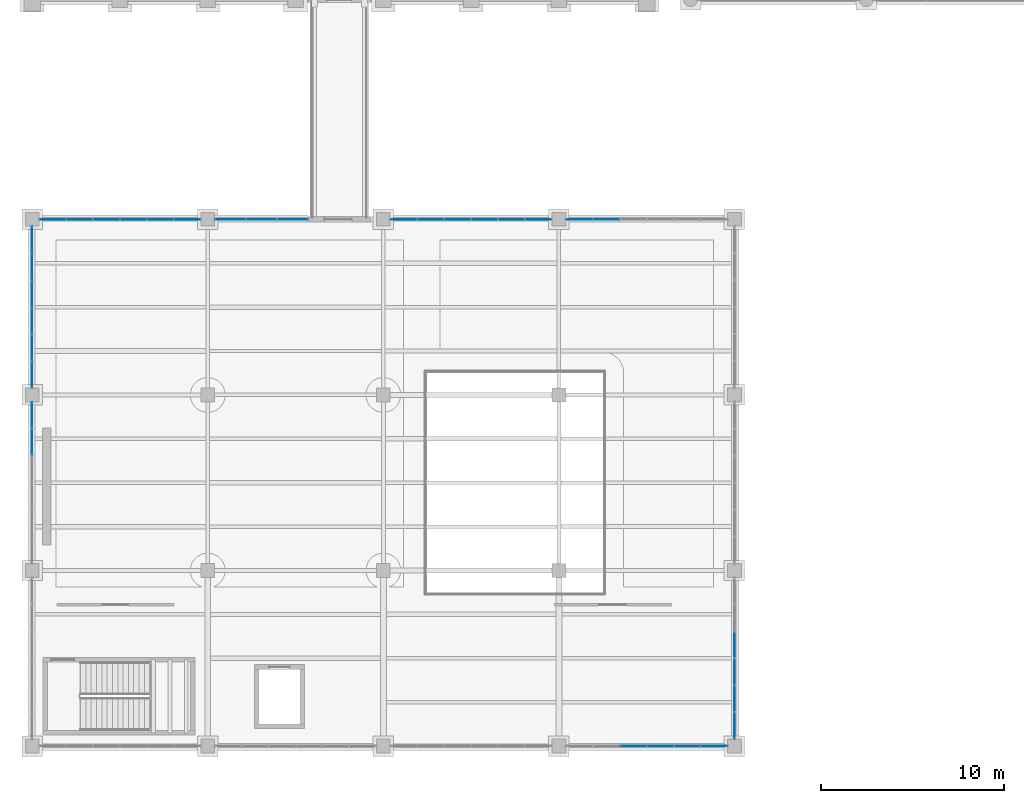
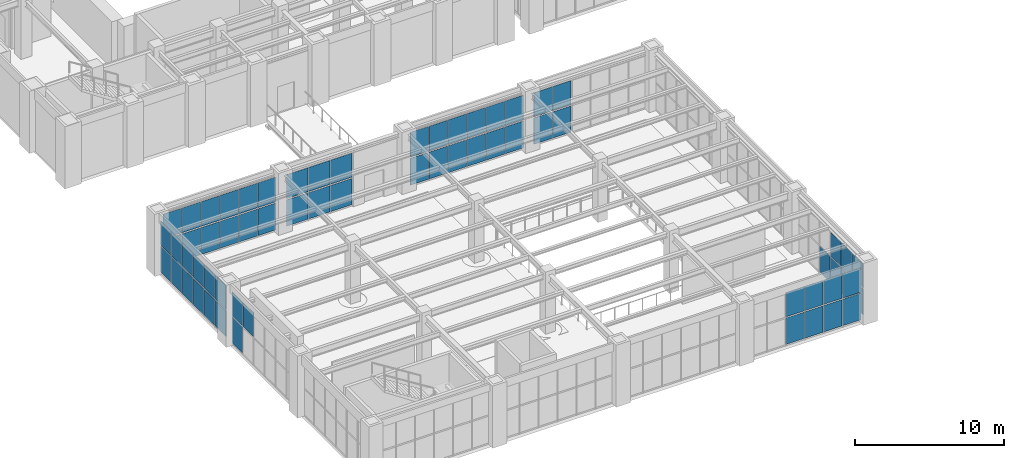
# One storey, part 123 of 174: 64 plates, 8 elements without a shape of their own.
"""IFC4 building model written with IfcOpenShell, lengths in metres."""

import ifcopenshell
import ifcopenshell.guid

model = None  # the IFC model being written
_history = None  # IfcOwnerHistory: only IFC2X3 demands one
_inside = {}  # id of a spatial element -> (the spatial element, [elements in it])
_under = {}  # id of a project, library or spatial element -> (it, [spatial elements below it])
_declared = {}  # id of a project -> (the project, [libraries it declares])
_typed = {}  # id of a type object -> (the type object, [elements of that type])
_made_of = {}  # id of a material, layer set ... -> (it, [elements and type objects made of it])


def new_model(schema):
    """Start an empty IFC model of exactly this schema.

    Asked for "IFC4X3", IfcOpenShell would pick the latest addendum, in which some entities
    have other attributes; the version numbers below select the first issue.
    IFC2X3 requires an IfcOwnerHistory on every rooted entity: one is made here for all.
    """
    global model, _history
    if schema == "IFC4X3":
        model = ifcopenshell.file(schema_version=(4, 3, 0, 0))
    else:
        model = ifcopenshell.file(schema=schema)
    _inside.clear()
    _under.clear()
    _declared.clear()
    _typed.clear()
    _made_of.clear()
    _history = None
    if model.schema == "IFC2X3":
        org = make("IfcOrganization", Name="unknown")
        user = make(
            "IfcPersonAndOrganization",
            ThePerson=make("IfcPerson", FamilyName="unknown"),
            TheOrganization=org,
        )
        app = make(
            "IfcApplication",
            ApplicationDeveloper=org,
            Version="unknown",
            ApplicationFullName="unknown",
            ApplicationIdentifier="unknown",
        )
        _history = make(
            "IfcOwnerHistory",
            OwningUser=user,
            OwningApplication=app,
            ChangeAction="ADDED",
            CreationDate=0,
        )
    return model


def make(cls, **values):
    """One entity of the class cls with the attributes given. An attribute that is None is left unset."""
    return model.create_entity(
        cls, **{name: value for name, value in values.items() if value is not None}
    )


def rooted(cls, **values):
    """An entity with a GlobalId (a new one), such as an element, a storey or a relation."""
    return make(cls, GlobalId=ifcopenshell.guid.new(), OwnerHistory=_history, **values)


def si_unit(unit_type, name, prefix=None):
    """IfcSIUnit, for example si_unit("LENGTHUNIT", "METRE", prefix="MILLI")."""
    return make("IfcSIUnit", UnitType=unit_type, Prefix=prefix, Name=name)


def assignment(units):
    """IfcUnitAssignment: the units of a project."""
    return None if units is None else make("IfcUnitAssignment", Units=units)


def point(xyz):
    """IfcCartesianPoint."""
    return None if xyz is None else make("IfcCartesianPoint", Coordinates=xyz)


def direction(xyz):
    """IfcDirection."""
    return None if xyz is None else make("IfcDirection", DirectionRatios=xyz)


def frame(location, z_axis=None, x_axis=None):
    """IfcAxis2Placement3D, a coordinate frame: its origin and axes. An axis left out is left unset."""
    return make(
        "IfcAxis2Placement3D",
        Location=point(location),
        Axis=direction(z_axis),
        RefDirection=direction(x_axis),
    )


def frame_2d(location, x_axis=None):
    """IfcAxis2Placement2D, a coordinate frame in the plane: its origin and x axis."""
    return make(
        "IfcAxis2Placement2D", Location=point(location), RefDirection=direction(x_axis)
    )


def origin():
    """The frame at (0, 0, 0) with its axes left unset."""
    return frame((0.0, 0.0, 0.0))


def origin_2d():
    """The frame at (0, 0) in the plane with its x axis left unset."""
    return frame_2d((0.0, 0.0))


def place(relative_to, where):
    """IfcLocalPlacement: puts the frame where relative to a parent placement (None: the world)."""
    return make(
        "IfcLocalPlacement", PlacementRelTo=relative_to, RelativePlacement=where
    )


def context(
    kind, dimensions, precision=None, world=None, true_north=None, identifier=None
):
    """IfcGeometricRepresentationContext, for example the 3D "Model" context."""
    return make(
        "IfcGeometricRepresentationContext",
        ContextIdentifier=identifier,
        ContextType=kind,
        CoordinateSpaceDimension=dimensions,
        Precision=precision,
        WorldCoordinateSystem=world,
        TrueNorth=true_north,
    )


def subcontext(parent, identifier, kind, view, scale=None):
    """IfcGeometricRepresentationSubContext, for example "Body" below "Model"."""
    return make(
        "IfcGeometricRepresentationSubContext",
        ContextIdentifier=identifier,
        ContextType=kind,
        ParentContext=parent,
        TargetScale=scale,
        TargetView=view,
    )


def project(units=None, contexts=None):
    """IfcProject with its units and contexts."""
    return rooted(
        "IfcProject",
        Name="project",
        RepresentationContexts=contexts,
        UnitsInContext=assignment(units),
    )


def spatial(cls, under=None, at=None, **own):
    """A site, building, storey or space (cls), placed at a placement, below another one or the project."""
    s = rooted(cls, ObjectPlacement=at, **own)
    if under is not None:
        _under.setdefault(under.id(), (under, []))[1].append(s)
    return s


def profile(cls, at=None, kind="AREA", **sizes):
    """A parametric profile (cls). Its sizes go by their IFC names, for example OverallWidth=200.0."""
    return make(cls, ProfileType=kind, Position=at, **sizes)


def rectangle(**sizes):
    """IfcRectangleProfileDef."""
    return profile("IfcRectangleProfileDef", **sizes)


def extrude(swept, where, along, depth):
    """IfcExtrudedAreaSolid: the profile swept, set in the frame where, extruded along a direction by depth."""
    return make(
        "IfcExtrudedAreaSolid",
        SweptArea=swept,
        Position=where,
        ExtrudedDirection=direction(along),
        Depth=depth,
    )


def shape(context_of_items, identifier, shape_type, items):
    """IfcShapeRepresentation: the items that make up one representation, for example the "Body"."""
    return make(
        "IfcShapeRepresentation",
        ContextOfItems=context_of_items,
        RepresentationIdentifier=identifier,
        RepresentationType=shape_type,
        Items=items,
    )


def material(Name=None, Category=None):
    """IfcMaterial."""
    return make("IfcMaterial", Name=Name, Category=Category)


def layer(
    of_material, thickness, ventilated=None, Name=None, Category=None, Priority=None
):
    """IfcMaterialLayer: one layer of a wall or slab, of a material (None: an air gap)."""
    return make(
        "IfcMaterialLayer",
        Material=of_material,
        LayerThickness=thickness,
        IsVentilated=ventilated,
        Name=Name,
        Category=Category,
        Priority=Priority,
    )


def layer_set(layers, Name=None):
    """IfcMaterialLayerSet."""
    return make("IfcMaterialLayerSet", MaterialLayers=layers, LayerSetName=Name)


def made_of(thing, what):
    """Note that an element or type object is made of a material, layer set ...; save() writes the relation."""
    if what is not None:
        _made_of.setdefault(what.id(), (what, []))[1].append(thing)
    return thing


def type_object(cls, material=None, **own):
    """A type object (cls), such as IfcWallType, which elements share."""
    return made_of(rooted(cls, **own), material)


def element(
    cls,
    number,
    at=None,
    inside=None,
    cuts=None,
    type_object=None,
    material=None,
    context=None,
    identifier="Body",
    shape_type=None,
    held_by="IfcProductDefinitionShape",
    body=None,
    shapes=None,
    **own,
):
    """One element of the class cls, such as IfcWall. Its Tag is "e" and its number.

    at: its placement. inside: the storey or other place that contains it. cuts: it is an
    opening in that element (IfcRelVoidsElement). A single representation is given by context,
    identifier, shape_type and body (its items); several are given by shapes. held_by: the class
    of the entity that holds the representations. save() writes the other relations.
    """
    e = rooted(cls, Tag="e%d" % number, ObjectPlacement=at, **own)
    if body is not None:
        shapes = [shape(context, identifier, shape_type, body)]
    if shapes is not None:
        e.Representation = make(held_by, Representations=shapes)
    if inside is not None:
        _inside.setdefault(inside.id(), (inside, []))[1].append(e)
    if cuts is not None:
        rooted(
            "IfcRelVoidsElement", RelatingBuildingElement=cuts, RelatedOpeningElement=e
        )
    if type_object is not None:
        _typed.setdefault(type_object.id(), (type_object, []))[1].append(e)
    return made_of(e, material)


def aggregate(whole, parts):
    """IfcRelAggregates: a whole, such as a stair, and the parts it consists of."""
    return rooted("IfcRelAggregates", RelatingObject=whole, RelatedObjects=parts)


def save(model, path):
    """Write the relations noted so far, then the file.

    IfcRelAggregates (storeys below a building ...), IfcRelContainedInSpatialStructure (elements
    in a storey), IfcRelDefinesByType, IfcRelAssociatesMaterial and IfcRelDeclares: one each for
    every whole, place, type object, material and project.
    """
    for whole, parts in _under.values():
        aggregate(whole, parts)
    for where, things in _inside.values():
        rooted(
            "IfcRelContainedInSpatialStructure",
            RelatedElements=things,
            RelatingStructure=where,
        )
    for kind, things in _typed.values():
        rooted("IfcRelDefinesByType", RelatedObjects=things, RelatingType=kind)
    for what, things in _made_of.values():
        rooted("IfcRelAssociatesMaterial", RelatedObjects=things, RelatingMaterial=what)
    for by, libraries in _declared.values():
        rooted("IfcRelDeclares", RelatingContext=by, RelatedDefinitions=libraries)
    model.write(path)


model = new_model("IFC4")

# Units and contexts
model_context = context("Model", 3, precision=1e-05, world=origin(), true_north=direction((0.0, 1.0)))
body_context = subcontext(model_context, "Body", "Model", "MODEL_VIEW")
ifc_project = project(units=[si_unit("LENGTHUNIT", "METRE"), si_unit("AREAUNIT", "SQUARE_METRE"), si_unit("VOLUMEUNIT", "CUBIC_METRE"), si_unit("PLANEANGLEUNIT", "RADIAN"), si_unit("MASSUNIT", "GRAM", prefix="KILO")], contexts=[model_context])

# Site, building, storey
site_placement = place(None, origin())
site = spatial("IfcSite", under=ifc_project, at=site_placement, CompositionType="ELEMENT")
building_placement = place(site_placement, origin())
building = spatial("IfcBuilding", under=site, at=building_placement, Name="Mavantir Sound Aquarium", CompositionType="ELEMENT")
storey_placement = place(building_placement, frame((0.0, 0.0, 5.39990234375)))
storey = spatial("IfcBuildingStorey", under=building, at=storey_placement, Name="L01", CompositionType="ELEMENT", Elevation=5.39990234375)

# Curtain wall, plates
ifc_material_1 = material(Name="Anodised Marine Aluminium and Low-E Glass", Category="aluminium")
curtain_wall_type_1 = type_object("IfcCurtainWallType", Name="CW-T19", PredefinedType="USERDEFINED", material=ifc_material_1)
curtain_wall_1_placement = place(storey_placement, origin())
curtain_wall_1 = element("IfcCurtainWall", 1, at=curtain_wall_1_placement, inside=storey, type_object=curtain_wall_type_1, Name="L01 unitised curtain wall CW-19 67", ObjectType="UNITISED GLAZING", PredefinedType="USERDEFINED")
ifc_material_2 = material(Name="Solar-Control Laminated Low-E Glass", Category="glass")
ifc_layer_1 = layer(ifc_material_2, 0.028076171875, Name="Solar-Control Laminated Low-E Glass")
ifc_layer_set_1 = layer_set([ifc_layer_1], Name="Solar-Control Laminated Low-E Glass")
plate_type_1 = type_object("IfcPlateType", Name="CW-PNL-28", PredefinedType="CURTAIN_PANEL", material=ifc_layer_set_1)
plate_1_placement = place(storey_placement, frame((38.39990234375, 1.119140625, 0.10302734375), z_axis=(0.0, 0.0, 1.0), x_axis=(0.0, 1.0, 0.0)))
plate_1 = element("IfcPlate", 2, at=plate_1_placement, type_object=plate_type_1, Name="CW-L01-067 glazed curtain panel 1.1", PredefinedType="CURTAIN_PANEL", context=body_context, shape_type="SweptSolid", body=[
    extrude(rectangle(XDim=1.42431640625, YDim=0.028076171875, at=origin_2d()), origin(), (0.0, 0.0, 1.0), 2.110595703125),
])
plate_2_placement = place(storey_placement, frame((38.39990234375, 1.119140625, 2.3095703125), z_axis=(0.0, 0.0, 1.0), x_axis=(0.0, 1.0, 0.0)))
plate_2 = element("IfcPlate", 3, at=plate_2_placement, type_object=plate_type_1, Name="CW-L01-067 glazed curtain panel 1.2", PredefinedType="CURTAIN_PANEL", context=body_context, shape_type="SweptSolid", body=[
    extrude(rectangle(XDim=1.42431640625, YDim=0.028076171875, at=origin_2d()), origin(), (0.0, 0.0, 1.0), 1.9365234375),
])
plate_3_placement = place(storey_placement, frame((38.39990234375, 2.591552734375, 0.10302734375), z_axis=(0.0, 0.0, 1.0), x_axis=(0.0, 1.0, 0.0)))
plate_3 = element("IfcPlate", 4, at=plate_3_placement, type_object=plate_type_1, Name="CW-L01-067 glazed curtain panel 2.1", PredefinedType="CURTAIN_PANEL", context=body_context, shape_type="SweptSolid", body=[
    extrude(rectangle(XDim=1.42431640625, YDim=0.028076171875, at=origin_2d()), origin(), (0.0, 0.0, 1.0), 2.110595703125),
])
plate_4_placement = place(storey_placement, frame((38.39990234375, 2.591552734375, 2.3095703125), z_axis=(0.0, 0.0, 1.0), x_axis=(0.0, 1.0, 0.0)))
plate_4 = element("IfcPlate", 5, at=plate_4_placement, type_object=plate_type_1, Name="CW-L01-067 glazed curtain panel 2.2", PredefinedType="CURTAIN_PANEL", context=body_context, shape_type="SweptSolid", body=[
    extrude(rectangle(XDim=1.42431640625, YDim=0.028076171875, at=origin_2d()), origin(), (0.0, 0.0, 1.0), 1.9365234375),
])
plate_5_placement = place(storey_placement, frame((38.39990234375, 4.063720703125, 0.10302734375), z_axis=(0.0, 0.0, 1.0), x_axis=(0.0, 1.0, 0.0)))
plate_5 = element("IfcPlate", 6, at=plate_5_placement, type_object=plate_type_1, Name="CW-L01-067 glazed curtain panel 3.1", PredefinedType="CURTAIN_PANEL", context=body_context, shape_type="SweptSolid", body=[
    extrude(rectangle(XDim=1.42431640625, YDim=0.028076171875, at=origin_2d()), origin(), (0.0, 0.0, 1.0), 2.110595703125),
])
plate_6_placement = place(storey_placement, frame((38.39990234375, 4.063720703125, 2.3095703125), z_axis=(0.0, 0.0, 1.0), x_axis=(0.0, 1.0, 0.0)))
plate_6 = element("IfcPlate", 7, at=plate_6_placement, type_object=plate_type_1, Name="CW-L01-067 glazed curtain panel 3.2", PredefinedType="CURTAIN_PANEL", context=body_context, shape_type="SweptSolid", body=[
    extrude(rectangle(XDim=1.42431640625, YDim=0.028076171875, at=origin_2d()), origin(), (0.0, 0.0, 1.0), 1.9365234375),
])
plate_7_placement = place(storey_placement, frame((38.39990234375, 5.5361328125, 0.10302734375), z_axis=(0.0, 0.0, 1.0), x_axis=(0.0, 1.0, 0.0)))
plate_7 = element("IfcPlate", 8, at=plate_7_placement, type_object=plate_type_1, Name="CW-L01-067 glazed curtain panel 4.1", PredefinedType="CURTAIN_PANEL", context=body_context, shape_type="SweptSolid", body=[
    extrude(rectangle(XDim=1.42431640625, YDim=0.028076171875, at=origin_2d()), origin(), (0.0, 0.0, 1.0), 2.110595703125),
])
aggregate(curtain_wall_1, [plate_1, plate_2, plate_3, plate_4, plate_5, plate_6, plate_7])

curtain_wall_type_2 = type_object("IfcCurtainWallType", Name="CW-T23", PredefinedType="USERDEFINED", material=ifc_material_1)
curtain_wall_2_placement = place(storey_placement, origin())
curtain_wall_2 = element("IfcCurtainWall", 9, at=curtain_wall_2_placement, inside=storey, type_object=curtain_wall_type_2, Name="L01 unitised curtain wall CW-23 71", ObjectType="UNITISED GLAZING", PredefinedType="USERDEFINED")
plate_8_placement = place(storey_placement, frame((27.680908203125, 28.800048828125, 0.10302734375), z_axis=(0.0, 0.0, 1.0), x_axis=(-1.0, 0.0, 0.0)))
plate_8 = element("IfcPlate", 10, at=plate_8_placement, type_object=plate_type_1, Name="CW-L01-071 glazed curtain panel 1.1", PredefinedType="CURTAIN_PANEL", context=body_context, shape_type="SweptSolid", body=[
    extrude(rectangle(XDim=1.42431640625, YDim=0.028076171875, at=origin_2d()), origin(), (0.0, 0.0, 1.0), 2.21142578125),
])
plate_9_placement = place(storey_placement, frame((27.680908203125, 28.800048828125, 2.41064453125), z_axis=(0.0, 0.0, 1.0), x_axis=(-1.0, 0.0, 0.0)))
plate_9 = element("IfcPlate", 11, at=plate_9_placement, type_object=plate_type_1, Name="CW-L01-071 glazed curtain panel 1.2", PredefinedType="CURTAIN_PANEL", context=body_context, shape_type="SweptSolid", body=[
    extrude(rectangle(XDim=1.42431640625, YDim=0.028076171875, at=origin_2d()), origin(), (0.0, 0.0, 1.0), 2.029541015625),
])
plate_10_placement = place(storey_placement, frame((26.20849609375, 28.800048828125, 0.10302734375), z_axis=(0.0, 0.0, 1.0), x_axis=(-1.0, 0.0, 0.0)))
plate_10 = element("IfcPlate", 12, at=plate_10_placement, type_object=plate_type_1, Name="CW-L01-071 glazed curtain panel 2.1", PredefinedType="CURTAIN_PANEL", context=body_context, shape_type="SweptSolid", body=[
    extrude(rectangle(XDim=1.42431640625, YDim=0.028076171875, at=origin_2d()), origin(), (0.0, 0.0, 1.0), 2.21142578125),
])
plate_11_placement = place(storey_placement, frame((26.20849609375, 28.800048828125, 2.41064453125), z_axis=(0.0, 0.0, 1.0), x_axis=(-1.0, 0.0, 0.0)))
plate_11 = element("IfcPlate", 13, at=plate_11_placement, type_object=plate_type_1, Name="CW-L01-071 glazed curtain panel 2.2", PredefinedType="CURTAIN_PANEL", context=body_context, shape_type="SweptSolid", body=[
    extrude(rectangle(XDim=1.42431640625, YDim=0.028076171875, at=origin_2d()), origin(), (0.0, 0.0, 1.0), 2.029541015625),
])
plate_12_placement = place(storey_placement, frame((24.736083984375, 28.800048828125, 0.10302734375), z_axis=(0.0, 0.0, 1.0), x_axis=(-1.0, 0.0, 0.0)))
plate_12 = element("IfcPlate", 14, at=plate_12_placement, type_object=plate_type_1, Name="CW-L01-071 glazed curtain panel 3.1", PredefinedType="CURTAIN_PANEL", context=body_context, shape_type="SweptSolid", body=[
    extrude(rectangle(XDim=1.42431640625, YDim=0.028076171875, at=origin_2d()), origin(), (0.0, 0.0, 1.0), 2.21142578125),
])
plate_13_placement = place(storey_placement, frame((24.736083984375, 28.800048828125, 2.41064453125), z_axis=(0.0, 0.0, 1.0), x_axis=(-1.0, 0.0, 0.0)))
plate_13 = element("IfcPlate", 15, at=plate_13_placement, type_object=plate_type_1, Name="CW-L01-071 glazed curtain panel 3.2", PredefinedType="CURTAIN_PANEL", context=body_context, shape_type="SweptSolid", body=[
    extrude(rectangle(XDim=1.42431640625, YDim=0.028076171875, at=origin_2d()), origin(), (0.0, 0.0, 1.0), 2.029541015625),
])
plate_14_placement = place(storey_placement, frame((23.263916015625, 28.800048828125, 0.10302734375), z_axis=(0.0, 0.0, 1.0), x_axis=(-1.0, 0.0, 0.0)))
plate_14 = element("IfcPlate", 16, at=plate_14_placement, type_object=plate_type_1, Name="CW-L01-071 glazed curtain panel 4.1", PredefinedType="CURTAIN_PANEL", context=body_context, shape_type="SweptSolid", body=[
    extrude(rectangle(XDim=1.42431640625, YDim=0.028076171875, at=origin_2d()), origin(), (0.0, 0.0, 1.0), 2.21142578125),
])
plate_15_placement = place(storey_placement, frame((23.263916015625, 28.800048828125, 2.41064453125), z_axis=(0.0, 0.0, 1.0), x_axis=(-1.0, 0.0, 0.0)))
plate_15 = element("IfcPlate", 17, at=plate_15_placement, type_object=plate_type_1, Name="CW-L01-071 glazed curtain panel 4.2", PredefinedType="CURTAIN_PANEL", context=body_context, shape_type="SweptSolid", body=[
    extrude(rectangle(XDim=1.42431640625, YDim=0.028076171875, at=origin_2d()), origin(), (0.0, 0.0, 1.0), 2.029541015625),
])
plate_16_placement = place(storey_placement, frame((21.79150390625, 28.800048828125, 0.10302734375), z_axis=(0.0, 0.0, 1.0), x_axis=(-1.0, 0.0, 0.0)))
plate_16 = element("IfcPlate", 18, at=plate_16_placement, type_object=plate_type_1, Name="CW-L01-071 glazed curtain panel 5.1", PredefinedType="CURTAIN_PANEL", context=body_context, shape_type="SweptSolid", body=[
    extrude(rectangle(XDim=1.42431640625, YDim=0.028076171875, at=origin_2d()), origin(), (0.0, 0.0, 1.0), 2.21142578125),
])
plate_17_placement = place(storey_placement, frame((21.79150390625, 28.800048828125, 2.41064453125), z_axis=(0.0, 0.0, 1.0), x_axis=(-1.0, 0.0, 0.0)))
plate_17 = element("IfcPlate", 19, at=plate_17_placement, type_object=plate_type_1, Name="CW-L01-071 glazed curtain panel 5.2", PredefinedType="CURTAIN_PANEL", context=body_context, shape_type="SweptSolid", body=[
    extrude(rectangle(XDim=1.42431640625, YDim=0.028076171875, at=origin_2d()), origin(), (0.0, 0.0, 1.0), 2.029541015625),
])
plate_18_placement = place(storey_placement, frame((20.319091796875, 28.800048828125, 0.10302734375), z_axis=(0.0, 0.0, 1.0), x_axis=(-1.0, 0.0, 0.0)))
plate_18 = element("IfcPlate", 20, at=plate_18_placement, type_object=plate_type_1, Name="CW-L01-071 glazed curtain panel 6.1", PredefinedType="CURTAIN_PANEL", context=body_context, shape_type="SweptSolid", body=[
    extrude(rectangle(XDim=1.42431640625, YDim=0.028076171875, at=origin_2d()), origin(), (0.0, 0.0, 1.0), 2.21142578125),
])
plate_19_placement = place(storey_placement, frame((20.319091796875, 28.800048828125, 2.41064453125), z_axis=(0.0, 0.0, 1.0), x_axis=(-1.0, 0.0, 0.0)))
plate_19 = element("IfcPlate", 21, at=plate_19_placement, type_object=plate_type_1, Name="CW-L01-071 glazed curtain panel 6.2", PredefinedType="CURTAIN_PANEL", context=body_context, shape_type="SweptSolid", body=[
    extrude(rectangle(XDim=1.42431640625, YDim=0.028076171875, at=origin_2d()), origin(), (0.0, 0.0, 1.0), 2.029541015625),
])
aggregate(curtain_wall_2, [plate_8, plate_9, plate_10, plate_11, plate_12, plate_13, plate_14, plate_15, plate_16, plate_17, plate_18, plate_19])

curtain_wall_type_3 = type_object("IfcCurtainWallType", Name="CW-T01", PredefinedType="USERDEFINED", material=ifc_material_1)
curtain_wall_3_placement = place(storey_placement, origin())
curtain_wall_3 = element("IfcCurtainWall", 22, at=curtain_wall_3_placement, inside=storey, type_object=curtain_wall_type_3, Name="L01 unitised curtain wall CW-01 73", ObjectType="UNITISED GLAZING", PredefinedType="USERDEFINED")
plate_20_placement = place(storey_placement, frame((8.480712890625, 28.800048828125, 0.10302734375), z_axis=(0.0, 0.0, 1.0), x_axis=(-1.0, 0.0, 0.0)))
plate_20 = element("IfcPlate", 23, at=plate_20_placement, type_object=plate_type_1, Name="CW-L01-073 glazed curtain panel 1.1", PredefinedType="CURTAIN_PANEL", context=body_context, shape_type="SweptSolid", body=[
    extrude(rectangle(XDim=1.42431640625, YDim=0.028076171875, at=origin_2d()), origin(), (0.0, 0.0, 1.0), 2.21142578125),
])
plate_21_placement = place(storey_placement, frame((8.480712890625, 28.800048828125, 2.41064453125), z_axis=(0.0, 0.0, 1.0), x_axis=(-1.0, 0.0, 0.0)))
plate_21 = element("IfcPlate", 24, at=plate_21_placement, type_object=plate_type_1, Name="CW-L01-073 glazed curtain panel 1.2", PredefinedType="CURTAIN_PANEL", context=body_context, shape_type="SweptSolid", body=[
    extrude(rectangle(XDim=1.42431640625, YDim=0.028076171875, at=origin_2d()), origin(), (0.0, 0.0, 1.0), 2.029541015625),
])
plate_22_placement = place(storey_placement, frame((7.008544921875, 28.800048828125, 0.10302734375), z_axis=(0.0, 0.0, 1.0), x_axis=(-1.0, 0.0, 0.0)))
plate_22 = element("IfcPlate", 25, at=plate_22_placement, type_object=plate_type_1, Name="CW-L01-073 glazed curtain panel 2.1", PredefinedType="CURTAIN_PANEL", context=body_context, shape_type="SweptSolid", body=[
    extrude(rectangle(XDim=1.42431640625, YDim=0.028076171875, at=origin_2d()), origin(), (0.0, 0.0, 1.0), 2.21142578125),
])
plate_23_placement = place(storey_placement, frame((7.008544921875, 28.800048828125, 2.41064453125), z_axis=(0.0, 0.0, 1.0), x_axis=(-1.0, 0.0, 0.0)))
plate_23 = element("IfcPlate", 26, at=plate_23_placement, type_object=plate_type_1, Name="CW-L01-073 glazed curtain panel 2.2", PredefinedType="CURTAIN_PANEL", context=body_context, shape_type="SweptSolid", body=[
    extrude(rectangle(XDim=1.42431640625, YDim=0.028076171875, at=origin_2d()), origin(), (0.0, 0.0, 1.0), 2.029541015625),
])
plate_24_placement = place(storey_placement, frame((5.5361328125, 28.800048828125, 0.10302734375), z_axis=(0.0, 0.0, 1.0), x_axis=(-1.0, 0.0, 0.0)))
plate_24 = element("IfcPlate", 27, at=plate_24_placement, type_object=plate_type_1, Name="CW-L01-073 glazed curtain panel 3.1", PredefinedType="CURTAIN_PANEL", context=body_context, shape_type="SweptSolid", body=[
    extrude(rectangle(XDim=1.42431640625, YDim=0.028076171875, at=origin_2d()), origin(), (0.0, 0.0, 1.0), 2.21142578125),
])
plate_25_placement = place(storey_placement, frame((5.5361328125, 28.800048828125, 2.41064453125), z_axis=(0.0, 0.0, 1.0), x_axis=(-1.0, 0.0, 0.0)))
plate_25 = element("IfcPlate", 28, at=plate_25_placement, type_object=plate_type_1, Name="CW-L01-073 glazed curtain panel 3.2", PredefinedType="CURTAIN_PANEL", context=body_context, shape_type="SweptSolid", body=[
    extrude(rectangle(XDim=1.42431640625, YDim=0.028076171875, at=origin_2d()), origin(), (0.0, 0.0, 1.0), 2.029541015625),
])
plate_26_placement = place(storey_placement, frame((4.063720703125, 28.800048828125, 0.10302734375), z_axis=(0.0, 0.0, 1.0), x_axis=(-1.0, 0.0, 0.0)))
plate_26 = element("IfcPlate", 29, at=plate_26_placement, type_object=plate_type_1, Name="CW-L01-073 glazed curtain panel 4.1", PredefinedType="CURTAIN_PANEL", context=body_context, shape_type="SweptSolid", body=[
    extrude(rectangle(XDim=1.42431640625, YDim=0.028076171875, at=origin_2d()), origin(), (0.0, 0.0, 1.0), 2.21142578125),
])
plate_27_placement = place(storey_placement, frame((4.063720703125, 28.800048828125, 2.41064453125), z_axis=(0.0, 0.0, 1.0), x_axis=(-1.0, 0.0, 0.0)))
plate_27 = element("IfcPlate", 30, at=plate_27_placement, type_object=plate_type_1, Name="CW-L01-073 glazed curtain panel 4.2", PredefinedType="CURTAIN_PANEL", context=body_context, shape_type="SweptSolid", body=[
    extrude(rectangle(XDim=1.42431640625, YDim=0.028076171875, at=origin_2d()), origin(), (0.0, 0.0, 1.0), 2.029541015625),
])
plate_28_placement = place(storey_placement, frame((2.591552734375, 28.800048828125, 0.10302734375), z_axis=(0.0, 0.0, 1.0), x_axis=(-1.0, 0.0, 0.0)))
plate_28 = element("IfcPlate", 31, at=plate_28_placement, type_object=plate_type_1, Name="CW-L01-073 glazed curtain panel 5.1", PredefinedType="CURTAIN_PANEL", context=body_context, shape_type="SweptSolid", body=[
    extrude(rectangle(XDim=1.42431640625, YDim=0.028076171875, at=origin_2d()), origin(), (0.0, 0.0, 1.0), 2.21142578125),
])
plate_29_placement = place(storey_placement, frame((2.591552734375, 28.800048828125, 2.41064453125), z_axis=(0.0, 0.0, 1.0), x_axis=(-1.0, 0.0, 0.0)))
plate_29 = element("IfcPlate", 32, at=plate_29_placement, type_object=plate_type_1, Name="CW-L01-073 glazed curtain panel 5.2", PredefinedType="CURTAIN_PANEL", context=body_context, shape_type="SweptSolid", body=[
    extrude(rectangle(XDim=1.42431640625, YDim=0.028076171875, at=origin_2d()), origin(), (0.0, 0.0, 1.0), 2.029541015625),
])
plate_30_placement = place(storey_placement, frame((1.119140625, 28.800048828125, 0.10302734375), z_axis=(0.0, 0.0, 1.0), x_axis=(-1.0, 0.0, 0.0)))
plate_30 = element("IfcPlate", 33, at=plate_30_placement, type_object=plate_type_1, Name="CW-L01-073 glazed curtain panel 6.1", PredefinedType="CURTAIN_PANEL", context=body_context, shape_type="SweptSolid", body=[
    extrude(rectangle(XDim=1.42431640625, YDim=0.028076171875, at=origin_2d()), origin(), (0.0, 0.0, 1.0), 2.21142578125),
])
plate_31_placement = place(storey_placement, frame((1.119140625, 28.800048828125, 2.41064453125), z_axis=(0.0, 0.0, 1.0), x_axis=(-1.0, 0.0, 0.0)))
plate_31 = element("IfcPlate", 34, at=plate_31_placement, type_object=plate_type_1, Name="CW-L01-073 glazed curtain panel 6.2", PredefinedType="CURTAIN_PANEL", context=body_context, shape_type="SweptSolid", body=[
    extrude(rectangle(XDim=1.42431640625, YDim=0.028076171875, at=origin_2d()), origin(), (0.0, 0.0, 1.0), 2.029541015625),
])
aggregate(curtain_wall_3, [plate_20, plate_21, plate_22, plate_23, plate_24, plate_25, plate_26, plate_27, plate_28, plate_29, plate_30, plate_31])

curtain_wall_type_4 = type_object("IfcCurtainWallType", Name="CW-T03", PredefinedType="USERDEFINED", material=ifc_material_1)
curtain_wall_4_placement = place(storey_placement, origin())
curtain_wall_4 = element("IfcCurtainWall", 35, at=curtain_wall_4_placement, inside=storey, type_object=curtain_wall_type_4, Name="L01 unitised curtain wall CW-03 75", ObjectType="UNITISED GLAZING", PredefinedType="USERDEFINED")
plate_32_placement = place(storey_placement, frame((0.0, 18.080810546875, 0.10302734375), z_axis=(0.0, 0.0, 1.0), x_axis=(0.0, -1.0, 0.0)))
plate_32 = element("IfcPlate", 36, at=plate_32_placement, type_object=plate_type_1, Name="CW-L01-075 glazed curtain panel 1.1", PredefinedType="CURTAIN_PANEL", context=body_context, shape_type="SweptSolid", body=[
    extrude(rectangle(XDim=1.42431640625, YDim=0.028076171875, at=origin_2d()), origin(), (0.0, 0.0, 1.0), 2.143798828125),
])
plate_33_placement = place(storey_placement, frame((0.0, 18.080810546875, 2.3427734375), z_axis=(0.0, 0.0, 1.0), x_axis=(0.0, -1.0, 0.0)))
plate_33 = element("IfcPlate", 37, at=plate_33_placement, type_object=plate_type_1, Name="CW-L01-075 glazed curtain panel 1.2", PredefinedType="CURTAIN_PANEL", context=body_context, shape_type="SweptSolid", body=[
    extrude(rectangle(XDim=1.42431640625, YDim=0.028076171875, at=origin_2d()), origin(), (0.0, 0.0, 1.0), 1.96728515625),
])
plate_34_placement = place(storey_placement, frame((0.0, 16.6083984375, 2.3427734375), z_axis=(0.0, 0.0, 1.0), x_axis=(0.0, -1.0, 0.0)))
plate_34 = element("IfcPlate", 38, at=plate_34_placement, type_object=plate_type_1, Name="CW-L01-075 glazed curtain panel 2.2", PredefinedType="CURTAIN_PANEL", context=body_context, shape_type="SweptSolid", body=[
    extrude(rectangle(XDim=1.42431640625, YDim=0.028076171875, at=origin_2d()), origin(), (0.0, 0.0, 1.0), 1.96728515625),
])
aggregate(curtain_wall_4, [plate_32, plate_33, plate_34])

curtain_wall_type_5 = type_object("IfcCurtainWallType", Name="CW-T22", PredefinedType="USERDEFINED", material=ifc_material_1)
curtain_wall_5_placement = place(storey_placement, origin())
curtain_wall_5 = element("IfcCurtainWall", 39, at=curtain_wall_5_placement, inside=storey, type_object=curtain_wall_type_5, Name="L01 unitised curtain wall CW-22 70", ObjectType="UNITISED GLAZING", PredefinedType="USERDEFINED")
ifc_layer_2 = layer(ifc_material_2, 0.031982421875, Name="Solar-Control Laminated Low-E Glass")
ifc_layer_set_2 = layer_set([ifc_layer_2], Name="Solar-Control Laminated Low-E Glass")
plate_type_2 = type_object("IfcPlateType", Name="CW-PNL-32", PredefinedType="CURTAIN_PANEL", material=ifc_layer_set_2)
plate_35_placement = place(storey_placement, frame((31.3916015625, 28.800048828125, 0.10302734375), z_axis=(0.0, 0.0, 1.0), x_axis=(-1.0, 0.0, 0.0)))
plate_35 = element("IfcPlate", 40, at=plate_35_placement, type_object=plate_type_2, Name="CW-L01-070 glazed curtain panel 5.1", PredefinedType="CURTAIN_PANEL", context=body_context, shape_type="SweptSolid", body=[
    extrude(rectangle(XDim=1.42431640625, YDim=0.031982421875, at=origin_2d()), origin(), (0.0, 0.0, 1.0), 2.15673828125),
])
plate_36_placement = place(storey_placement, frame((31.3916015625, 28.800048828125, 2.35595703125), z_axis=(0.0, 0.0, 1.0), x_axis=(-1.0, 0.0, 0.0)))
plate_36 = element("IfcPlate", 41, at=plate_36_placement, type_object=plate_type_2, Name="CW-L01-070 glazed curtain panel 5.2", PredefinedType="CURTAIN_PANEL", context=body_context, shape_type="SweptSolid", body=[
    extrude(rectangle(XDim=1.42431640625, YDim=0.031982421875, at=origin_2d()), origin(), (0.0, 0.0, 1.0), 1.979248046875),
])
plate_37_placement = place(storey_placement, frame((29.919189453125, 28.800048828125, 0.10302734375), z_axis=(0.0, 0.0, 1.0), x_axis=(-1.0, 0.0, 0.0)))
plate_37 = element("IfcPlate", 42, at=plate_37_placement, type_object=plate_type_2, Name="CW-L01-070 glazed curtain panel 6.1", PredefinedType="CURTAIN_PANEL", context=body_context, shape_type="SweptSolid", body=[
    extrude(rectangle(XDim=1.42431640625, YDim=0.031982421875, at=origin_2d()), origin(), (0.0, 0.0, 1.0), 2.15673828125),
])
plate_38_placement = place(storey_placement, frame((29.919189453125, 28.800048828125, 2.35595703125), z_axis=(0.0, 0.0, 1.0), x_axis=(-1.0, 0.0, 0.0)))
plate_38 = element("IfcPlate", 43, at=plate_38_placement, type_object=plate_type_2, Name="CW-L01-070 glazed curtain panel 6.2", PredefinedType="CURTAIN_PANEL", context=body_context, shape_type="SweptSolid", body=[
    extrude(rectangle(XDim=1.42431640625, YDim=0.031982421875, at=origin_2d()), origin(), (0.0, 0.0, 1.0), 1.979248046875),
])
aggregate(curtain_wall_5, [plate_35, plate_36, plate_37, plate_38])

curtain_wall_type_6 = type_object("IfcCurtainWallType", Name="CW-T24", PredefinedType="USERDEFINED", material=ifc_material_1)
curtain_wall_6_placement = place(storey_placement, origin())
curtain_wall_6 = element("IfcCurtainWall", 44, at=curtain_wall_6_placement, inside=storey, type_object=curtain_wall_type_6, Name="L01 unitised curtain wall CW-24 72", ObjectType="UNITISED GLAZING", PredefinedType="USERDEFINED")
plate_39_placement = place(storey_placement, frame((14.242919921875, 28.800048828125, 0.10302734375), z_axis=(0.0, 0.0, 1.0), x_axis=(-1.0, 0.0, 0.0)))
plate_39 = element("IfcPlate", 45, at=plate_39_placement, type_object=plate_type_2, Name="CW-L01-072 glazed curtain panel 1.1", PredefinedType="CURTAIN_PANEL", context=body_context, shape_type="SweptSolid", body=[
    extrude(rectangle(XDim=1.656005859375, YDim=0.031982421875, at=origin_2d()), origin(), (0.0, 0.0, 1.0), 2.15673828125),
])
plate_40_placement = place(storey_placement, frame((14.242919921875, 28.800048828125, 2.35595703125), z_axis=(0.0, 0.0, 1.0), x_axis=(-1.0, 0.0, 0.0)))
plate_40 = element("IfcPlate", 46, at=plate_40_placement, type_object=plate_type_2, Name="CW-L01-072 glazed curtain panel 1.2", PredefinedType="CURTAIN_PANEL", context=body_context, shape_type="SweptSolid", body=[
    extrude(rectangle(XDim=1.656005859375, YDim=0.031982421875, at=origin_2d()), origin(), (0.0, 0.0, 1.0), 1.979248046875),
])
plate_41_placement = place(storey_placement, frame((12.5390625, 28.800048828125, 0.10302734375), z_axis=(0.0, 0.0, 1.0), x_axis=(-1.0, 0.0, 0.0)))
plate_41 = element("IfcPlate", 47, at=plate_41_placement, type_object=plate_type_2, Name="CW-L01-072 glazed curtain panel 2.1", PredefinedType="CURTAIN_PANEL", context=body_context, shape_type="SweptSolid", body=[
    extrude(rectangle(XDim=1.656005859375, YDim=0.031982421875, at=origin_2d()), origin(), (0.0, 0.0, 1.0), 2.15673828125),
])
plate_42_placement = place(storey_placement, frame((12.5390625, 28.800048828125, 2.35595703125), z_axis=(0.0, 0.0, 1.0), x_axis=(-1.0, 0.0, 0.0)))
plate_42 = element("IfcPlate", 48, at=plate_42_placement, type_object=plate_type_2, Name="CW-L01-072 glazed curtain panel 2.2", PredefinedType="CURTAIN_PANEL", context=body_context, shape_type="SweptSolid", body=[
    extrude(rectangle(XDim=1.656005859375, YDim=0.031982421875, at=origin_2d()), origin(), (0.0, 0.0, 1.0), 1.979248046875),
])
plate_43_placement = place(storey_placement, frame((10.8349609375, 28.800048828125, 0.10302734375), z_axis=(0.0, 0.0, 1.0), x_axis=(-1.0, 0.0, 0.0)))
plate_43 = element("IfcPlate", 49, at=plate_43_placement, type_object=plate_type_2, Name="CW-L01-072 glazed curtain panel 3.1", PredefinedType="CURTAIN_PANEL", context=body_context, shape_type="SweptSolid", body=[
    extrude(rectangle(XDim=1.656005859375, YDim=0.031982421875, at=origin_2d()), origin(), (0.0, 0.0, 1.0), 2.15673828125),
])
plate_44_placement = place(storey_placement, frame((10.8349609375, 28.800048828125, 2.35595703125), z_axis=(0.0, 0.0, 1.0), x_axis=(-1.0, 0.0, 0.0)))
plate_44 = element("IfcPlate", 50, at=plate_44_placement, type_object=plate_type_2, Name="CW-L01-072 glazed curtain panel 3.2", PredefinedType="CURTAIN_PANEL", context=body_context, shape_type="SweptSolid", body=[
    extrude(rectangle(XDim=1.656005859375, YDim=0.031982421875, at=origin_2d()), origin(), (0.0, 0.0, 1.0), 1.979248046875),
])
aggregate(curtain_wall_6, [plate_39, plate_40, plate_41, plate_42, plate_43, plate_44])

curtain_wall_type_7 = type_object("IfcCurtainWallType", Name="CW-T02", PredefinedType="USERDEFINED", material=ifc_material_1)
curtain_wall_7_placement = place(storey_placement, origin())
curtain_wall_7 = element("IfcCurtainWall", 51, at=curtain_wall_7_placement, inside=storey, type_object=curtain_wall_type_7, Name="L01 unitised curtain wall CW-02 74", ObjectType="UNITISED GLAZING", PredefinedType="USERDEFINED")
plate_45_placement = place(storey_placement, frame((0.0, 27.680908203125, 0.10302734375), z_axis=(0.0, 0.0, 1.0), x_axis=(0.0, -1.0, 0.0)))
plate_45 = element("IfcPlate", 52, at=plate_45_placement, type_object=plate_type_2, Name="CW-L01-074 glazed curtain panel 1.1", PredefinedType="CURTAIN_PANEL", context=body_context, shape_type="SweptSolid", body=[
    extrude(rectangle(XDim=1.42431640625, YDim=0.031982421875, at=origin_2d()), origin(), (0.0, 0.0, 1.0), 2.13330078125),
])
plate_46_placement = place(storey_placement, frame((0.0, 27.680908203125, 2.33251953125), z_axis=(0.0, 0.0, 1.0), x_axis=(0.0, -1.0, 0.0)))
plate_46 = element("IfcPlate", 53, at=plate_46_placement, type_object=plate_type_2, Name="CW-L01-074 glazed curtain panel 1.2", PredefinedType="CURTAIN_PANEL", context=body_context, shape_type="SweptSolid", body=[
    extrude(rectangle(XDim=1.42431640625, YDim=0.031982421875, at=origin_2d()), origin(), (0.0, 0.0, 1.0), 1.95751953125),
])
plate_47_placement = place(storey_placement, frame((0.0, 26.20849609375, 0.10302734375), z_axis=(0.0, 0.0, 1.0), x_axis=(0.0, -1.0, 0.0)))
plate_47 = element("IfcPlate", 54, at=plate_47_placement, type_object=plate_type_2, Name="CW-L01-074 glazed curtain panel 2.1", PredefinedType="CURTAIN_PANEL", context=body_context, shape_type="SweptSolid", body=[
    extrude(rectangle(XDim=1.42431640625, YDim=0.031982421875, at=origin_2d()), origin(), (0.0, 0.0, 1.0), 2.13330078125),
])
plate_48_placement = place(storey_placement, frame((0.0, 26.20849609375, 2.33251953125), z_axis=(0.0, 0.0, 1.0), x_axis=(0.0, -1.0, 0.0)))
plate_48 = element("IfcPlate", 55, at=plate_48_placement, type_object=plate_type_2, Name="CW-L01-074 glazed curtain panel 2.2", PredefinedType="CURTAIN_PANEL", context=body_context, shape_type="SweptSolid", body=[
    extrude(rectangle(XDim=1.42431640625, YDim=0.031982421875, at=origin_2d()), origin(), (0.0, 0.0, 1.0), 1.95751953125),
])
plate_49_placement = place(storey_placement, frame((0.0, 24.736083984375, 0.10302734375), z_axis=(0.0, 0.0, 1.0), x_axis=(0.0, -1.0, 0.0)))
plate_49 = element("IfcPlate", 56, at=plate_49_placement, type_object=plate_type_2, Name="CW-L01-074 glazed curtain panel 3.1", PredefinedType="CURTAIN_PANEL", context=body_context, shape_type="SweptSolid", body=[
    extrude(rectangle(XDim=1.42431640625, YDim=0.031982421875, at=origin_2d()), origin(), (0.0, 0.0, 1.0), 2.13330078125),
])
plate_50_placement = place(storey_placement, frame((0.0, 24.736083984375, 2.33251953125), z_axis=(0.0, 0.0, 1.0), x_axis=(0.0, -1.0, 0.0)))
plate_50 = element("IfcPlate", 57, at=plate_50_placement, type_object=plate_type_2, Name="CW-L01-074 glazed curtain panel 3.2", PredefinedType="CURTAIN_PANEL", context=body_context, shape_type="SweptSolid", body=[
    extrude(rectangle(XDim=1.42431640625, YDim=0.031982421875, at=origin_2d()), origin(), (0.0, 0.0, 1.0), 1.95751953125),
])
plate_51_placement = place(storey_placement, frame((0.0, 23.263916015625, 0.10302734375), z_axis=(0.0, 0.0, 1.0), x_axis=(0.0, -1.0, 0.0)))
plate_51 = element("IfcPlate", 58, at=plate_51_placement, type_object=plate_type_2, Name="CW-L01-074 glazed curtain panel 4.1", PredefinedType="CURTAIN_PANEL", context=body_context, shape_type="SweptSolid", body=[
    extrude(rectangle(XDim=1.42431640625, YDim=0.031982421875, at=origin_2d()), origin(), (0.0, 0.0, 1.0), 2.13330078125),
])
plate_52_placement = place(storey_placement, frame((0.0, 23.263916015625, 2.33251953125), z_axis=(0.0, 0.0, 1.0), x_axis=(0.0, -1.0, 0.0)))
plate_52 = element("IfcPlate", 59, at=plate_52_placement, type_object=plate_type_2, Name="CW-L01-074 glazed curtain panel 4.2", PredefinedType="CURTAIN_PANEL", context=body_context, shape_type="SweptSolid", body=[
    extrude(rectangle(XDim=1.42431640625, YDim=0.031982421875, at=origin_2d()), origin(), (0.0, 0.0, 1.0), 1.95751953125),
])
plate_53_placement = place(storey_placement, frame((0.0, 21.79150390625, 0.10302734375), z_axis=(0.0, 0.0, 1.0), x_axis=(0.0, -1.0, 0.0)))
plate_53 = element("IfcPlate", 60, at=plate_53_placement, type_object=plate_type_2, Name="CW-L01-074 glazed curtain panel 5.1", PredefinedType="CURTAIN_PANEL", context=body_context, shape_type="SweptSolid", body=[
    extrude(rectangle(XDim=1.42431640625, YDim=0.031982421875, at=origin_2d()), origin(), (0.0, 0.0, 1.0), 2.13330078125),
])
plate_54_placement = place(storey_placement, frame((0.0, 21.79150390625, 2.33251953125), z_axis=(0.0, 0.0, 1.0), x_axis=(0.0, -1.0, 0.0)))
plate_54 = element("IfcPlate", 61, at=plate_54_placement, type_object=plate_type_2, Name="CW-L01-074 glazed curtain panel 5.2", PredefinedType="CURTAIN_PANEL", context=body_context, shape_type="SweptSolid", body=[
    extrude(rectangle(XDim=1.42431640625, YDim=0.031982421875, at=origin_2d()), origin(), (0.0, 0.0, 1.0), 1.95751953125),
])
plate_55_placement = place(storey_placement, frame((0.0, 20.319091796875, 0.10302734375), z_axis=(0.0, 0.0, 1.0), x_axis=(0.0, -1.0, 0.0)))
plate_55 = element("IfcPlate", 62, at=plate_55_placement, type_object=plate_type_2, Name="CW-L01-074 glazed curtain panel 6.1", PredefinedType="CURTAIN_PANEL", context=body_context, shape_type="SweptSolid", body=[
    extrude(rectangle(XDim=1.42431640625, YDim=0.031982421875, at=origin_2d()), origin(), (0.0, 0.0, 1.0), 2.13330078125),
])
plate_56_placement = place(storey_placement, frame((0.0, 20.319091796875, 2.33251953125), z_axis=(0.0, 0.0, 1.0), x_axis=(0.0, -1.0, 0.0)))
plate_56 = element("IfcPlate", 63, at=plate_56_placement, type_object=plate_type_2, Name="CW-L01-074 glazed curtain panel 6.2", PredefinedType="CURTAIN_PANEL", context=body_context, shape_type="SweptSolid", body=[
    extrude(rectangle(XDim=1.42431640625, YDim=0.031982421875, at=origin_2d()), origin(), (0.0, 0.0, 1.0), 1.95751953125),
])
aggregate(curtain_wall_7, [plate_45, plate_46, plate_47, plate_48, plate_49, plate_50, plate_51, plate_52, plate_53, plate_54, plate_55, plate_56])

curtain_wall_type_8 = type_object("IfcCurtainWallType", Name="CW-T08", PredefinedType="USERDEFINED", material=ifc_material_1)
curtain_wall_8_placement = place(storey_placement, origin())
curtain_wall_8 = element("IfcCurtainWall", 64, at=curtain_wall_8_placement, inside=storey, type_object=curtain_wall_type_8, Name="L01 unitised curtain wall CW-08 80", ObjectType="UNITISED GLAZING", PredefinedType="USERDEFINED")
plate_57_placement = place(storey_placement, frame((32.86376953125, 0.0, 0.10302734375), z_axis=(0.0, 0.0, 1.0), x_axis=(1.0, 0.0, 0.0)))
plate_57 = element("IfcPlate", 65, at=plate_57_placement, type_object=plate_type_2, Name="CW-L01-080 glazed curtain panel 3.1", PredefinedType="CURTAIN_PANEL", context=body_context, shape_type="SweptSolid", body=[
    extrude(rectangle(XDim=1.42431640625, YDim=0.031982421875, at=origin_2d()), origin(), (0.0, 0.0, 1.0), 2.167236328125),
])
plate_58_placement = place(storey_placement, frame((32.86376953125, 0.0, 2.3662109375), z_axis=(0.0, 0.0, 1.0), x_axis=(1.0, 0.0, 0.0)))
plate_58 = element("IfcPlate", 66, at=plate_58_placement, type_object=plate_type_2, Name="CW-L01-080 glazed curtain panel 3.2", PredefinedType="CURTAIN_PANEL", context=body_context, shape_type="SweptSolid", body=[
    extrude(rectangle(XDim=1.42431640625, YDim=0.031982421875, at=origin_2d()), origin(), (0.0, 0.0, 1.0), 1.98876953125),
])
plate_59_placement = place(storey_placement, frame((34.336181640625, 0.0, 0.10302734375), z_axis=(0.0, 0.0, 1.0), x_axis=(1.0, 0.0, 0.0)))
plate_59 = element("IfcPlate", 67, at=plate_59_placement, type_object=plate_type_2, Name="CW-L01-080 glazed curtain panel 4.1", PredefinedType="CURTAIN_PANEL", context=body_context, shape_type="SweptSolid", body=[
    extrude(rectangle(XDim=1.42431640625, YDim=0.031982421875, at=origin_2d()), origin(), (0.0, 0.0, 1.0), 2.167236328125),
])
plate_60_placement = place(storey_placement, frame((34.336181640625, 0.0, 2.3662109375), z_axis=(0.0, 0.0, 1.0), x_axis=(1.0, 0.0, 0.0)))
plate_60 = element("IfcPlate", 68, at=plate_60_placement, type_object=plate_type_2, Name="CW-L01-080 glazed curtain panel 4.2", PredefinedType="CURTAIN_PANEL", context=body_context, shape_type="SweptSolid", body=[
    extrude(rectangle(XDim=1.42431640625, YDim=0.031982421875, at=origin_2d()), origin(), (0.0, 0.0, 1.0), 1.98876953125),
])
plate_61_placement = place(storey_placement, frame((35.80859375, 0.0, 0.10302734375), z_axis=(0.0, 0.0, 1.0), x_axis=(1.0, 0.0, 0.0)))
plate_61 = element("IfcPlate", 69, at=plate_61_placement, type_object=plate_type_2, Name="CW-L01-080 glazed curtain panel 5.1", PredefinedType="CURTAIN_PANEL", context=body_context, shape_type="SweptSolid", body=[
    extrude(rectangle(XDim=1.42431640625, YDim=0.031982421875, at=origin_2d()), origin(), (0.0, 0.0, 1.0), 2.167236328125),
])
plate_62_placement = place(storey_placement, frame((35.80859375, 0.0, 2.3662109375), z_axis=(0.0, 0.0, 1.0), x_axis=(1.0, 0.0, 0.0)))
plate_62 = element("IfcPlate", 70, at=plate_62_placement, type_object=plate_type_2, Name="CW-L01-080 glazed curtain panel 5.2", PredefinedType="CURTAIN_PANEL", context=body_context, shape_type="SweptSolid", body=[
    extrude(rectangle(XDim=1.42431640625, YDim=0.031982421875, at=origin_2d()), origin(), (0.0, 0.0, 1.0), 1.98876953125),
])
plate_63_placement = place(storey_placement, frame((37.28076171875, 0.0, 0.10302734375), z_axis=(0.0, 0.0, 1.0), x_axis=(1.0, 0.0, 0.0)))
plate_63 = element("IfcPlate", 71, at=plate_63_placement, type_object=plate_type_2, Name="CW-L01-080 glazed curtain panel 6.1", PredefinedType="CURTAIN_PANEL", context=body_context, shape_type="SweptSolid", body=[
    extrude(rectangle(XDim=1.42431640625, YDim=0.031982421875, at=origin_2d()), origin(), (0.0, 0.0, 1.0), 2.167236328125),
])
plate_64_placement = place(storey_placement, frame((37.28076171875, 0.0, 2.3662109375), z_axis=(0.0, 0.0, 1.0), x_axis=(1.0, 0.0, 0.0)))
plate_64 = element("IfcPlate", 72, at=plate_64_placement, type_object=plate_type_2, Name="CW-L01-080 glazed curtain panel 6.2", PredefinedType="CURTAIN_PANEL", context=body_context, shape_type="SweptSolid", body=[
    extrude(rectangle(XDim=1.42431640625, YDim=0.031982421875, at=origin_2d()), origin(), (0.0, 0.0, 1.0), 1.98876953125),
])
aggregate(curtain_wall_8, [plate_57, plate_58, plate_59, plate_60, plate_61, plate_62, plate_63, plate_64])

save(model, "model.ifc")
